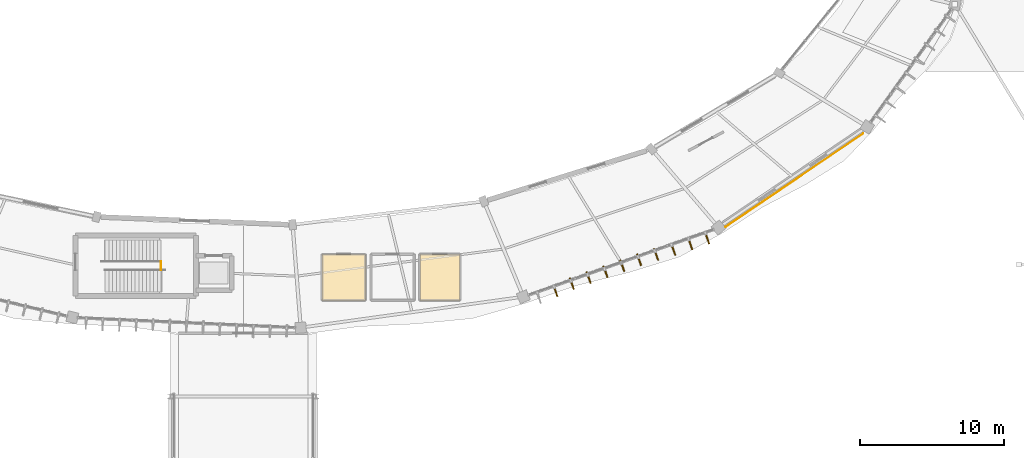
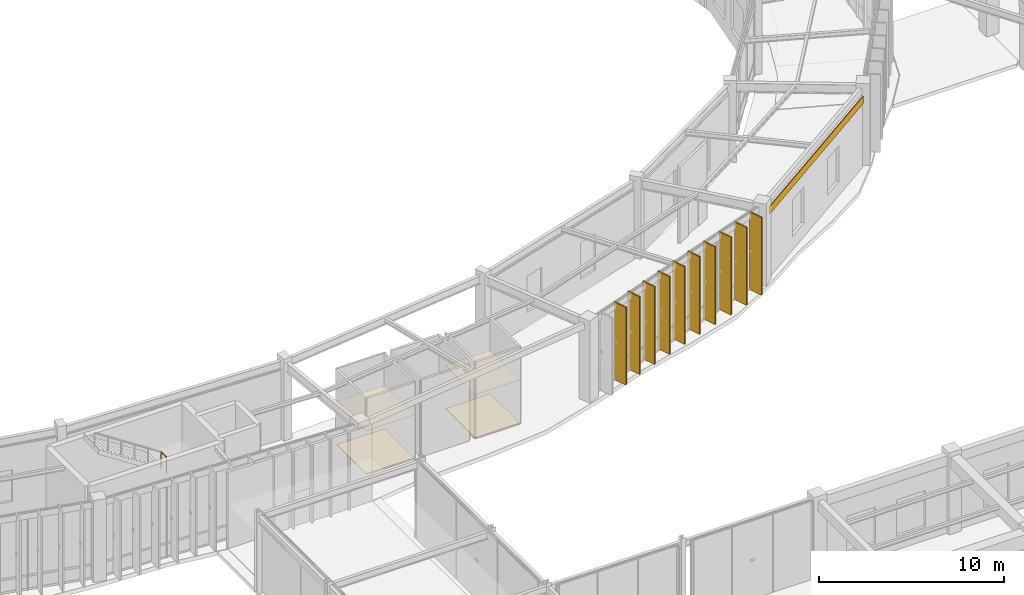
# One storey, part 150 of 157: 10 shading devices, 5 coverings, 1 railing.
"""IFC4 building model written with IfcOpenShell, lengths in metres."""

import ifcopenshell
import ifcopenshell.guid

model = None  # the IFC model being written
_history = None  # IfcOwnerHistory: only IFC2X3 demands one
_inside = {}  # id of a spatial element -> (the spatial element, [elements in it])
_under = {}  # id of a project, library or spatial element -> (it, [spatial elements below it])
_declared = {}  # id of a project -> (the project, [libraries it declares])
_typed = {}  # id of a type object -> (the type object, [elements of that type])
_made_of = {}  # id of a material, layer set ... -> (it, [elements and type objects made of it])


def new_model(schema):
    """Start an empty IFC model of exactly this schema.

    Asked for "IFC4X3", IfcOpenShell would pick the latest addendum, in which some entities
    have other attributes; the version numbers below select the first issue.
    IFC2X3 requires an IfcOwnerHistory on every rooted entity: one is made here for all.
    """
    global model, _history
    if schema == "IFC4X3":
        model = ifcopenshell.file(schema_version=(4, 3, 0, 0))
    else:
        model = ifcopenshell.file(schema=schema)
    _inside.clear()
    _under.clear()
    _declared.clear()
    _typed.clear()
    _made_of.clear()
    _history = None
    if model.schema == "IFC2X3":
        org = make("IfcOrganization", Name="unknown")
        user = make(
            "IfcPersonAndOrganization",
            ThePerson=make("IfcPerson", FamilyName="unknown"),
            TheOrganization=org,
        )
        app = make(
            "IfcApplication",
            ApplicationDeveloper=org,
            Version="unknown",
            ApplicationFullName="unknown",
            ApplicationIdentifier="unknown",
        )
        _history = make(
            "IfcOwnerHistory",
            OwningUser=user,
            OwningApplication=app,
            ChangeAction="ADDED",
            CreationDate=0,
        )
    return model


def make(cls, **values):
    """One entity of the class cls with the attributes given. An attribute that is None is left unset."""
    return model.create_entity(
        cls, **{name: value for name, value in values.items() if value is not None}
    )


def rooted(cls, **values):
    """An entity with a GlobalId (a new one), such as an element, a storey or a relation."""
    return make(cls, GlobalId=ifcopenshell.guid.new(), OwnerHistory=_history, **values)


def si_unit(unit_type, name, prefix=None):
    """IfcSIUnit, for example si_unit("LENGTHUNIT", "METRE", prefix="MILLI")."""
    return make("IfcSIUnit", UnitType=unit_type, Prefix=prefix, Name=name)


def assignment(units):
    """IfcUnitAssignment: the units of a project."""
    return None if units is None else make("IfcUnitAssignment", Units=units)


def point(xyz):
    """IfcCartesianPoint."""
    return None if xyz is None else make("IfcCartesianPoint", Coordinates=xyz)


def direction(xyz):
    """IfcDirection."""
    return None if xyz is None else make("IfcDirection", DirectionRatios=xyz)


def frame(location, z_axis=None, x_axis=None):
    """IfcAxis2Placement3D, a coordinate frame: its origin and axes. An axis left out is left unset."""
    return make(
        "IfcAxis2Placement3D",
        Location=point(location),
        Axis=direction(z_axis),
        RefDirection=direction(x_axis),
    )


def frame_2d(location, x_axis=None):
    """IfcAxis2Placement2D, a coordinate frame in the plane: its origin and x axis."""
    return make(
        "IfcAxis2Placement2D", Location=point(location), RefDirection=direction(x_axis)
    )


def origin():
    """The frame at (0, 0, 0) with its axes left unset."""
    return frame((0.0, 0.0, 0.0))


def origin_2d():
    """The frame at (0, 0) in the plane with its x axis left unset."""
    return frame_2d((0.0, 0.0))


def place(relative_to, where):
    """IfcLocalPlacement: puts the frame where relative to a parent placement (None: the world)."""
    return make(
        "IfcLocalPlacement", PlacementRelTo=relative_to, RelativePlacement=where
    )


def context(
    kind, dimensions, precision=None, world=None, true_north=None, identifier=None
):
    """IfcGeometricRepresentationContext, for example the 3D "Model" context."""
    return make(
        "IfcGeometricRepresentationContext",
        ContextIdentifier=identifier,
        ContextType=kind,
        CoordinateSpaceDimension=dimensions,
        Precision=precision,
        WorldCoordinateSystem=world,
        TrueNorth=true_north,
    )


def subcontext(parent, identifier, kind, view, scale=None):
    """IfcGeometricRepresentationSubContext, for example "Body" below "Model"."""
    return make(
        "IfcGeometricRepresentationSubContext",
        ContextIdentifier=identifier,
        ContextType=kind,
        ParentContext=parent,
        TargetScale=scale,
        TargetView=view,
    )


def project(units=None, contexts=None):
    """IfcProject with its units and contexts."""
    return rooted(
        "IfcProject",
        Name="project",
        RepresentationContexts=contexts,
        UnitsInContext=assignment(units),
    )


def spatial(cls, under=None, at=None, **own):
    """A site, building, storey or space (cls), placed at a placement, below another one or the project."""
    s = rooted(cls, ObjectPlacement=at, **own)
    if under is not None:
        _under.setdefault(under.id(), (under, []))[1].append(s)
    return s


def polyline(points):
    """IfcPolyline through the points."""
    return make("IfcPolyline", Points=[point(p) for p in points])


def profile(cls, at=None, kind="AREA", **sizes):
    """A parametric profile (cls). Its sizes go by their IFC names, for example OverallWidth=200.0."""
    return make(cls, ProfileType=kind, Position=at, **sizes)


def rectangle(**sizes):
    """IfcRectangleProfileDef."""
    return profile("IfcRectangleProfileDef", **sizes)


def circle(**sizes):
    """IfcCircleProfileDef."""
    return profile("IfcCircleProfileDef", **sizes)


def outline(outer, holes=None, kind="AREA"):
    """IfcArbitraryClosedProfileDef: a profile drawn as a closed curve; with holes, ...WithVoids."""
    if holes is None:
        return make("IfcArbitraryClosedProfileDef", ProfileType=kind, OuterCurve=outer)
    return make(
        "IfcArbitraryProfileDefWithVoids",
        ProfileType=kind,
        OuterCurve=outer,
        InnerCurves=holes,
    )


def extrude(swept, where, along, depth):
    """IfcExtrudedAreaSolid: the profile swept, set in the frame where, extruded along a direction by depth."""
    return make(
        "IfcExtrudedAreaSolid",
        SweptArea=swept,
        Position=where,
        ExtrudedDirection=direction(along),
        Depth=depth,
    )


def shape(context_of_items, identifier, shape_type, items):
    """IfcShapeRepresentation: the items that make up one representation, for example the "Body"."""
    return make(
        "IfcShapeRepresentation",
        ContextOfItems=context_of_items,
        RepresentationIdentifier=identifier,
        RepresentationType=shape_type,
        Items=items,
    )


def material(Name=None, Category=None):
    """IfcMaterial."""
    return make("IfcMaterial", Name=Name, Category=Category)


def layer(
    of_material, thickness, ventilated=None, Name=None, Category=None, Priority=None
):
    """IfcMaterialLayer: one layer of a wall or slab, of a material (None: an air gap)."""
    return make(
        "IfcMaterialLayer",
        Material=of_material,
        LayerThickness=thickness,
        IsVentilated=ventilated,
        Name=Name,
        Category=Category,
        Priority=Priority,
    )


def layer_set(layers, Name=None):
    """IfcMaterialLayerSet."""
    return make("IfcMaterialLayerSet", MaterialLayers=layers, LayerSetName=Name)


def made_of(thing, what):
    """Note that an element or type object is made of a material, layer set ...; save() writes the relation."""
    if what is not None:
        _made_of.setdefault(what.id(), (what, []))[1].append(thing)
    return thing


def type_object(cls, material=None, **own):
    """A type object (cls), such as IfcWallType, which elements share."""
    return made_of(rooted(cls, **own), material)


def element(
    cls,
    number,
    at=None,
    inside=None,
    cuts=None,
    type_object=None,
    material=None,
    context=None,
    identifier="Body",
    shape_type=None,
    held_by="IfcProductDefinitionShape",
    body=None,
    shapes=None,
    **own,
):
    """One element of the class cls, such as IfcWall. Its Tag is "e" and its number.

    at: its placement. inside: the storey or other place that contains it. cuts: it is an
    opening in that element (IfcRelVoidsElement). A single representation is given by context,
    identifier, shape_type and body (its items); several are given by shapes. held_by: the class
    of the entity that holds the representations. save() writes the other relations.
    """
    e = rooted(cls, Tag="e%d" % number, ObjectPlacement=at, **own)
    if body is not None:
        shapes = [shape(context, identifier, shape_type, body)]
    if shapes is not None:
        e.Representation = make(held_by, Representations=shapes)
    if inside is not None:
        _inside.setdefault(inside.id(), (inside, []))[1].append(e)
    if cuts is not None:
        rooted(
            "IfcRelVoidsElement", RelatingBuildingElement=cuts, RelatedOpeningElement=e
        )
    if type_object is not None:
        _typed.setdefault(type_object.id(), (type_object, []))[1].append(e)
    return made_of(e, material)


def aggregate(whole, parts):
    """IfcRelAggregates: a whole, such as a stair, and the parts it consists of."""
    return rooted("IfcRelAggregates", RelatingObject=whole, RelatedObjects=parts)


def save(model, path):
    """Write the relations noted so far, then the file.

    IfcRelAggregates (storeys below a building ...), IfcRelContainedInSpatialStructure (elements
    in a storey), IfcRelDefinesByType, IfcRelAssociatesMaterial and IfcRelDeclares: one each for
    every whole, place, type object, material and project.
    """
    for whole, parts in _under.values():
        aggregate(whole, parts)
    for where, things in _inside.values():
        rooted(
            "IfcRelContainedInSpatialStructure",
            RelatedElements=things,
            RelatingStructure=where,
        )
    for kind, things in _typed.values():
        rooted("IfcRelDefinesByType", RelatedObjects=things, RelatingType=kind)
    for what, things in _made_of.values():
        rooted("IfcRelAssociatesMaterial", RelatedObjects=things, RelatingMaterial=what)
    for by, libraries in _declared.values():
        rooted("IfcRelDeclares", RelatingContext=by, RelatedDefinitions=libraries)
    model.write(path)


model = new_model("IFC4")

# Units and contexts
model_context = context("Model", 3, precision=1e-05, world=origin(), true_north=direction((0.0, 1.0)))
body_context = subcontext(model_context, "Body", "Model", "MODEL_VIEW")
ifc_project = project(units=[si_unit("LENGTHUNIT", "METRE"), si_unit("AREAUNIT", "SQUARE_METRE"), si_unit("VOLUMEUNIT", "CUBIC_METRE"), si_unit("PLANEANGLEUNIT", "RADIAN"), si_unit("MASSUNIT", "GRAM", prefix="KILO"), si_unit("THERMODYNAMICTEMPERATUREUNIT", "KELVIN"), si_unit("POWERUNIT", "WATT")], contexts=[model_context])

# Site, building, storey
site_placement = place(None, origin())
site = spatial("IfcSite", under=ifc_project, at=site_placement, CompositionType="ELEMENT")
building_placement = place(site_placement, origin())
building = spatial("IfcBuilding", under=site, at=building_placement, Name="Darbajah Civic Hall", CompositionType="ELEMENT")
storey_placement = place(building_placement, origin())
storey = spatial("IfcBuildingStorey", under=building, at=storey_placement, Name="L00", CompositionType="ELEMENT", Elevation=0.0)

# Coverings
ifc_material_1 = material(Name="Honed Qatari Limestone Terrazzo", Category="masonry")
ifc_layer_1 = layer(ifc_material_1, 0.030029296875, Name="Honed Qatari Limestone Terrazzo")
ifc_layer_set_1 = layer_set([ifc_layer_1], Name="Honed Qatari Limestone Terrazzo")
covering_type_1 = type_object("IfcCoveringType", Name="Honed Qatari Limestone Terrazzo Flooring", PredefinedType="FLOORING", material=ifc_layer_set_1)
covering_1_placement = place(storey_placement, origin())
element("IfcCovering", 1, at=covering_1_placement, inside=storey, type_object=covering_type_1, Name="L00 stone terrazzo flooring L00-WCM", PredefinedType="FLOORING", context=body_context, shape_type="SweptSolid", body=[
    extrude(outline(polyline([(94.60009765625, 62.300048828125), (97.60009765625, 62.300048828125), (97.60009765625, 65.5), (94.60009765625, 65.5), (94.60009765625, 62.300048828125)])), origin(), (0.0, 0.0, 1.0), 0.030029296875),
])
covering_2_placement = place(storey_placement, origin())
element("IfcCovering", 2, at=covering_2_placement, inside=storey, type_object=covering_type_1, Name="L00 stone terrazzo flooring L00-WCA", PredefinedType="FLOORING", context=body_context, shape_type="SweptSolid", body=[
    extrude(outline(polyline([(101.39990234375, 62.300048828125), (104.199951171875, 62.300048828125), (104.199951171875, 65.5), (101.39990234375, 65.5), (101.39990234375, 62.300048828125)])), origin(), (0.0, 0.0, 1.0), 0.030029296875),
])

# Railing
ifc_material_2 = material(Name="Brushed Bronze and Laminated Safety Glass", Category="glass")
railing_type = type_object("IfcRailingType", Name="Interior Guard Balustrade", PredefinedType="BALUSTRADE", material=ifc_material_2)
railing_placement = place(storey_placement, frame((83.360107421875, 64.39990234375, 2.699951171875)))
element("IfcRailing", 3, at=railing_placement, inside=storey, type_object=railing_type, Name="ST03 L00 landing well guard", PredefinedType="BALUSTRADE", context=body_context, shape_type="SweptSolid", body=[
    extrude(circle(Radius=0.02392578125, at=origin_2d()), frame((0.0, 0.02734375, 1.09619140625), z_axis=(0.0, 1.0, 0.0), x_axis=(-1.0, 0.0, 0.0)), (0.0, 0.0, 1.0), 0.54541015625),
    extrude(circle(Radius=0.02099609375, at=origin_2d()), origin(), (0.0, 0.0, 1.0), 1.068115234375),
    extrude(circle(Radius=0.02099609375, at=origin_2d()), frame((0.0, 0.60009765625, 0.0)), (0.0, 0.0, 1.0), 1.068115234375),
])

# Coverings
ifc_material_3 = material(Name="Qatari Desert Limestone Ashlar", Category="masonry")
ifc_layer_2 = layer(ifc_material_3, 0.044921875, Name="Qatari Desert Limestone Ashlar")
ifc_layer_set_2 = layer_set([ifc_layer_2], Name="Qatari Desert Limestone Ashlar")
covering_type_2 = type_object("IfcCoveringType", Name="Limestone Facade Cladding", PredefinedType="CLADDING", material=ifc_layer_set_2)
covering_3_placement = place(storey_placement, frame((0.0, 0.0, 4.219970703125)))
element("IfcCovering", 4, at=covering_3_placement, inside=storey, type_object=covering_type_2, Name="L00 stone frieze cladding EW-V1O-L00-17", PredefinedType="CLADDING", context=body_context, shape_type="SweptSolid", body=[
    extrude(outline(polyline([(122.6845703125, 67.427490234375), (132.289794921875, 73.932861328125), (132.31494140625, 73.895751953125), (122.709716796875, 67.390380859375), (122.6845703125, 67.427490234375)])), origin(), (0.0, 0.0, 1.0), 0.5),
])
ifc_material_4 = material(Name="Perforated Acoustic Gypsum Board")
ifc_layer_3 = layer(ifc_material_4, 0.02490234375, Name="Perforated Acoustic Gypsum Board")
ifc_layer_set_3 = layer_set([ifc_layer_3], Name="Perforated Acoustic Gypsum Board")
covering_type_3 = type_object("IfcCoveringType", Name="Perforated Acoustic Gypsum Ceiling", PredefinedType="CEILING", material=ifc_layer_set_3)
covering_4_placement = place(storey_placement, frame((0.0, 0.0, 2.85009765625)))
element("IfcCovering", 5, at=covering_4_placement, inside=storey, type_object=covering_type_3, Name="L00 acoustic suspended ceiling L00-WCM", PredefinedType="CEILING", context=body_context, shape_type="SweptSolid", body=[
    extrude(outline(polyline([(94.60009765625, 62.300048828125), (97.60009765625, 62.300048828125), (97.60009765625, 65.5), (94.60009765625, 65.5), (94.60009765625, 62.300048828125)])), origin(), (0.0, 0.0, 1.0), 0.02490234375),
])
covering_5_placement = place(storey_placement, frame((0.0, 0.0, 2.85009765625)))
element("IfcCovering", 6, at=covering_5_placement, inside=storey, type_object=covering_type_3, Name="L00 acoustic suspended ceiling L00-WCA", PredefinedType="CEILING", context=body_context, shape_type="SweptSolid", body=[
    extrude(outline(polyline([(101.39990234375, 62.300048828125), (104.199951171875, 62.300048828125), (104.199951171875, 65.5), (101.39990234375, 65.5), (101.39990234375, 62.300048828125)])), origin(), (0.0, 0.0, 1.0), 0.02490234375),
])

# Shading devices
ifc_material_5 = material(Name="Bronze Anodised Aluminium and Teak Composite", Category="aluminium")
shading_device_type = type_object("IfcShadingDeviceType", Name="Vertical Bronze Timber Shading Fin", PredefinedType="USERDEFINED", material=ifc_material_5)
for number, where, z_axis, x_axis, name in (
    (7, (110.84716796875, 62.9658203125, 0.0), (0.0, 0.0, 1.0), (0.334135882844, -0.94252491309, 0.0), "L00 vertical shading fin VF-16-2"),
    (8, (111.9912109375, 63.460693359375, 0.0), (0.0, 0.0, 1.0), (0.334135882844, -0.94252491309, 0.0), "L00 vertical shading fin VF-16-3"),
    (9, (113.16357421875, 63.8759765625, 0.0), (0.0, 0.0, 1.0), (0.334135882844, -0.94252491309, 0.0), "L00 vertical shading fin VF-16-4"),
    (10, (114.335693359375, 64.29150390625, 0.0), (0.0, 0.0, 1.0), (0.334135882844, -0.94252491309, 0.0), "L00 vertical shading fin VF-16-5"),
    (11, (115.5078125, 64.70703125, 0.0), (0.0, 0.0, 1.0), (0.334135882844, -0.94252491309, 0.0), "L00 vertical shading fin VF-16-6"),
    (12, (116.68017578125, 65.12255859375, 0.0), (0.0, 0.0, 1.0), (0.334135882844, -0.94252491309, 0.0), "L00 vertical shading fin VF-16-7"),
    (13, (117.869384765625, 65.489990234375, 0.0), (0.0, 0.0, 1.0), (0.334135882844, -0.94252491309, 0.0), "L00 vertical shading fin VF-16-8"),
    (14, (119.064208984375, 65.841796875, 0.0), (0.0, 0.0, 1.0), (0.334135882844, -0.94252491309, 0.0), "L00 vertical shading fin VF-16-9"),
    (15, (120.2490234375, 66.221435546875, 0.0), (0.0, 0.0, 1.0), (0.334135882844, -0.94252491309, 0.0), "L00 vertical shading fin VF-16-10"),
    (16, (121.42138671875, 66.63623046875, 0.0), (0.0, 0.0, 1.0), (0.334135882844, -0.94252491309, 0.0), "L00 vertical shading fin VF-16-11"),
):
    element("IfcShadingDevice", number, at=place(storey_placement, frame(where, z_axis=z_axis, x_axis=x_axis)), inside=storey, type_object=shading_device_type, Name=name, ObjectType="VERTICAL FIN", PredefinedType="USERDEFINED", context=body_context, shape_type="SweptSolid", body=[
        extrude(rectangle(XDim=0.85009765625, YDim=0.090087890625, at=origin_2d()), origin(), (0.0, 0.0, 1.0), 5.1201171875),
    ])

save(model, "model.ifc")
